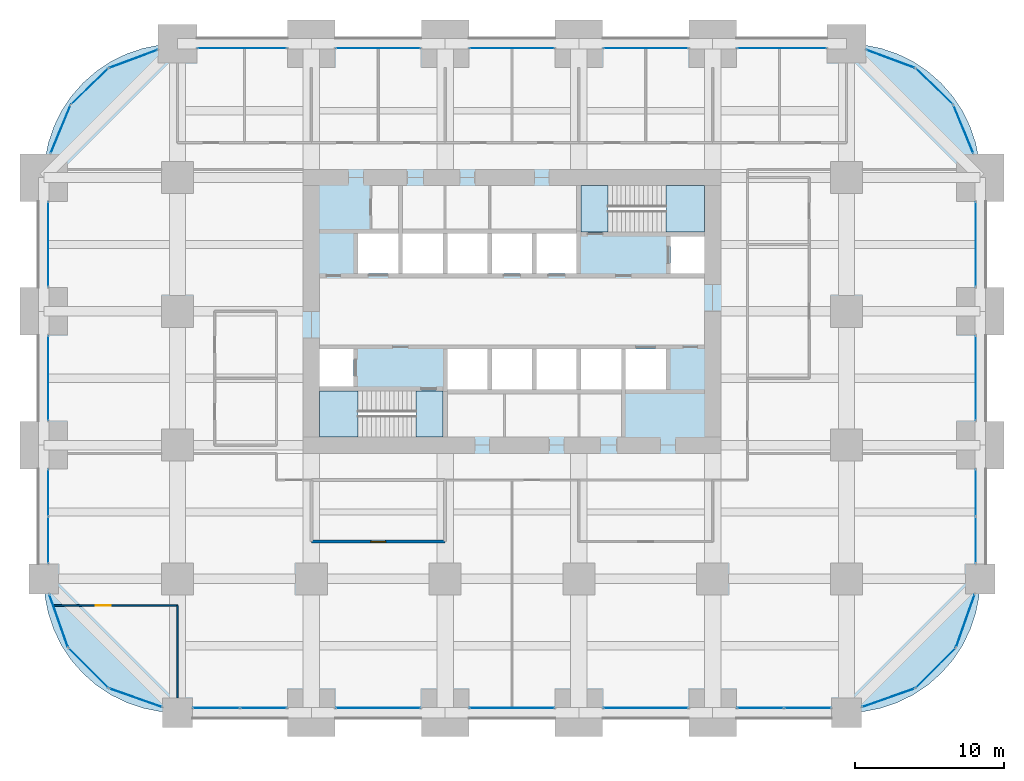
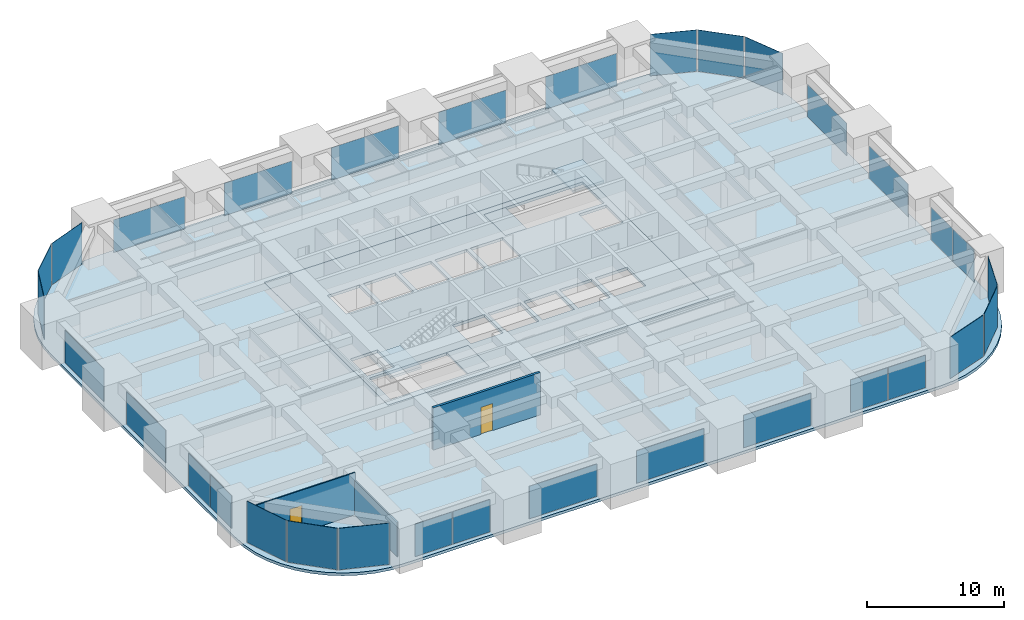
# One storey, part 36 of 41: 32 plates, 6 slabs, 3 walls, 2 doors, 2 openings, 30 elements without a shape of their own.
"""IFC4 building model written with IfcOpenShell, lengths in metres."""

from ifc_helpers import new_model, si_unit, direction, frame, frame_2d, origin, origin_2d, place, context, subcontext, project, spatial, polyline, rectangle, outline, extrude, material, layer, layer_set, type_object, element, fill, aggregate, save


model = new_model("IFC4")

# Units and contexts
model_context = context("Model", 3, precision=1e-05, world=origin(), true_north=direction((0.0, 1.0)))
body_context = subcontext(model_context, "Body", "Model", "MODEL_VIEW")
ifc_project = project(units=[si_unit("LENGTHUNIT", "METRE"), si_unit("AREAUNIT", "SQUARE_METRE"), si_unit("VOLUMEUNIT", "CUBIC_METRE"), si_unit("PLANEANGLEUNIT", "RADIAN"), si_unit("MASSUNIT", "GRAM", prefix="KILO")], contexts=[model_context])

# Site, building, storey
site_placement = place(None, origin())
site = spatial("IfcSite", under=ifc_project, at=site_placement, CompositionType="ELEMENT")
building_placement = place(site_placement, origin())
building = spatial("IfcBuilding", under=site, at=building_placement, Name="Zorevar Civic Tower", CompositionType="ELEMENT")
storey_placement = place(building_placement, frame((0.0, 0.0, 89.0)))
storey = spatial("IfcBuildingStorey", under=building, at=storey_placement, Name="L21", CompositionType="ELEMENT", Elevation=89.0)

# Curtain wall, plates
ifc_material_1 = material(Name="Dark grey solar-control glass in black aluminium frame", Category="aluminium")
curtain_wall_type = type_object("IfcCurtainWallType", Name="Curtain wall CW3 mid zone", PredefinedType="NOTDEFINED", material=ifc_material_1)
curtain_wall_1_placement = place(storey_placement, origin())
curtain_wall_1 = element("IfcCurtainWall", 1, at=curtain_wall_1_placement, inside=storey, type_object=curtain_wall_type, Name="CW3 L21", PredefinedType="NOTDEFINED")
ifc_material_2 = material(Name="Dark grey solar-control glass", Category="glass")
ifc_layer_1 = layer(ifc_material_2, 0.030029296875)
ifc_layer_set_1 = layer_set([ifc_layer_1], Name="CW3 panel 30")
plate_type = type_object("IfcPlateType", Name="CW3 panel 30", PredefinedType="CURTAIN_PANEL", material=ifc_layer_set_1)
plate_1_placement = place(storey_placement, frame((11.614990234375, 0.300048828125, 0.06005859375), z_axis=(0.0, 0.0, 1.0), x_axis=(1.0, 0.0, 0.0)))
plate_1 = element("IfcPlate", 2, at=plate_1_placement, type_object=plate_type, Name="CW3 panel 1.1", PredefinedType="CURTAIN_PANEL", context=body_context, shape_type="SweptSolid", body=[
    extrude(rectangle(XDim=3.110107421875, YDim=0.030029296875, at=origin_2d()), origin(), (0.0, 0.0, 1.0), 2.889892578125),
])
plate_2_placement = place(storey_placement, frame((14.784912109375, 0.300048828125, 0.06005859375), z_axis=(0.0, 0.0, 1.0), x_axis=(1.0, 0.0, 0.0)))
plate_2 = element("IfcPlate", 3, at=plate_2_placement, type_object=plate_type, Name="CW3 panel 2.1", PredefinedType="CURTAIN_PANEL", context=body_context, shape_type="SweptSolid", body=[
    extrude(rectangle(XDim=3.110107421875, YDim=0.030029296875, at=origin_2d()), origin(), (0.0, 0.0, 1.0), 2.889892578125),
])
aggregate(curtain_wall_1, [plate_1, plate_2])

# Curtain wall, plate
curtain_wall_2_placement = place(storey_placement, origin())
curtain_wall_2 = element("IfcCurtainWall", 4, at=curtain_wall_2_placement, inside=storey, type_object=curtain_wall_type, Name="CW3 L21", PredefinedType="NOTDEFINED")
plate_3_placement = place(storey_placement, frame((13.35009765625, 44.699951171875, 0.06005859375), z_axis=(0.0, 0.0, 1.0), x_axis=(1.0, 0.0, 0.0)))
plate_3 = element("IfcPlate", 5, at=plate_3_placement, type_object=plate_type, Name="CW3 panel 1.1", PredefinedType="CURTAIN_PANEL", context=body_context, shape_type="SweptSolid", body=[
    extrude(rectangle(XDim=5.97998046875, YDim=0.030029296875, at=origin_2d()), origin(), (0.0, 0.0, 1.0), 2.889892578125),
])
aggregate(curtain_wall_2, [plate_3])

curtain_wall_3_placement = place(storey_placement, origin())
curtain_wall_3 = element("IfcCurtainWall", 6, at=curtain_wall_3_placement, inside=storey, type_object=curtain_wall_type, Name="CW3 L21", PredefinedType="NOTDEFINED")
plate_4_placement = place(storey_placement, frame((22.5, 0.300048828125, 0.06005859375), z_axis=(0.0, 0.0, 1.0), x_axis=(1.0, 0.0, 0.0)))
plate_4 = element("IfcPlate", 7, at=plate_4_placement, type_object=plate_type, Name="CW3 panel 1.1", PredefinedType="CURTAIN_PANEL", context=body_context, shape_type="SweptSolid", body=[
    extrude(rectangle(XDim=5.679931640625, YDim=0.030029296875, at=origin_2d()), origin(), (0.0, 0.0, 1.0), 2.889892578125),
])
aggregate(curtain_wall_3, [plate_4])

curtain_wall_4_placement = place(storey_placement, origin())
curtain_wall_4 = element("IfcCurtainWall", 8, at=curtain_wall_4_placement, inside=storey, type_object=curtain_wall_type, Name="CW3 L21", PredefinedType="NOTDEFINED")
plate_5_placement = place(storey_placement, frame((22.5, 44.699951171875, 0.06005859375), z_axis=(0.0, 0.0, 1.0), x_axis=(1.0, 0.0, 0.0)))
plate_5 = element("IfcPlate", 9, at=plate_5_placement, type_object=plate_type, Name="CW3 panel 1.1", PredefinedType="CURTAIN_PANEL", context=body_context, shape_type="SweptSolid", body=[
    extrude(rectangle(XDim=5.679931640625, YDim=0.030029296875, at=origin_2d()), origin(), (0.0, 0.0, 1.0), 2.889892578125),
])
aggregate(curtain_wall_4, [plate_5])

curtain_wall_5_placement = place(storey_placement, origin())
curtain_wall_5 = element("IfcCurtainWall", 10, at=curtain_wall_5_placement, inside=storey, type_object=curtain_wall_type, Name="CW3 L21", PredefinedType="NOTDEFINED")
plate_6_placement = place(storey_placement, frame((31.5, 0.300048828125, 0.06005859375), z_axis=(0.0, 0.0, 1.0), x_axis=(1.0, 0.0, 0.0)))
plate_6 = element("IfcPlate", 11, at=plate_6_placement, type_object=plate_type, Name="CW3 panel 1.1", PredefinedType="CURTAIN_PANEL", context=body_context, shape_type="SweptSolid", body=[
    extrude(rectangle(XDim=5.679931640625, YDim=0.030029296875, at=origin_2d()), origin(), (0.0, 0.0, 1.0), 2.889892578125),
])
aggregate(curtain_wall_5, [plate_6])

curtain_wall_6_placement = place(storey_placement, origin())
curtain_wall_6 = element("IfcCurtainWall", 12, at=curtain_wall_6_placement, inside=storey, type_object=curtain_wall_type, Name="CW3 L21", PredefinedType="NOTDEFINED")
plate_7_placement = place(storey_placement, frame((31.5, 44.699951171875, 0.06005859375), z_axis=(0.0, 0.0, 1.0), x_axis=(1.0, 0.0, 0.0)))
plate_7 = element("IfcPlate", 13, at=plate_7_placement, type_object=plate_type, Name="CW3 panel 1.1", PredefinedType="CURTAIN_PANEL", context=body_context, shape_type="SweptSolid", body=[
    extrude(rectangle(XDim=5.679931640625, YDim=0.030029296875, at=origin_2d()), origin(), (0.0, 0.0, 1.0), 2.889892578125),
])
aggregate(curtain_wall_6, [plate_7])

curtain_wall_7_placement = place(storey_placement, origin())
curtain_wall_7 = element("IfcCurtainWall", 14, at=curtain_wall_7_placement, inside=storey, type_object=curtain_wall_type, Name="CW3 L21", PredefinedType="NOTDEFINED")
plate_8_placement = place(storey_placement, frame((40.5, 0.300048828125, 0.06005859375), z_axis=(0.0, 0.0, 1.0), x_axis=(1.0, 0.0, 0.0)))
plate_8 = element("IfcPlate", 15, at=plate_8_placement, type_object=plate_type, Name="CW3 panel 1.1", PredefinedType="CURTAIN_PANEL", context=body_context, shape_type="SweptSolid", body=[
    extrude(rectangle(XDim=5.679931640625, YDim=0.030029296875, at=origin_2d()), origin(), (0.0, 0.0, 1.0), 2.889892578125),
])
aggregate(curtain_wall_7, [plate_8])

curtain_wall_8_placement = place(storey_placement, origin())
curtain_wall_8 = element("IfcCurtainWall", 16, at=curtain_wall_8_placement, inside=storey, type_object=curtain_wall_type, Name="CW3 L21", PredefinedType="NOTDEFINED")
plate_9_placement = place(storey_placement, frame((40.5, 44.699951171875, 0.06005859375), z_axis=(0.0, 0.0, 1.0), x_axis=(1.0, 0.0, 0.0)))
plate_9 = element("IfcPlate", 17, at=plate_9_placement, type_object=plate_type, Name="CW3 panel 1.1", PredefinedType="CURTAIN_PANEL", context=body_context, shape_type="SweptSolid", body=[
    extrude(rectangle(XDim=5.679931640625, YDim=0.030029296875, at=origin_2d()), origin(), (0.0, 0.0, 1.0), 2.889892578125),
])
aggregate(curtain_wall_8, [plate_9])

# Curtain wall, plates
curtain_wall_9_placement = place(storey_placement, origin())
curtain_wall_9 = element("IfcCurtainWall", 18, at=curtain_wall_9_placement, inside=storey, type_object=curtain_wall_type, Name="CW3 L21", PredefinedType="NOTDEFINED")
plate_10_placement = place(storey_placement, frame((48.215087890625, 0.300048828125, 0.06005859375), z_axis=(0.0, 0.0, 1.0), x_axis=(1.0, 0.0, 0.0)))
plate_10 = element("IfcPlate", 19, at=plate_10_placement, type_object=plate_type, Name="CW3 panel 1.1", PredefinedType="CURTAIN_PANEL", context=body_context, shape_type="SweptSolid", body=[
    extrude(rectangle(XDim=3.110107421875, YDim=0.030029296875, at=origin_2d()), origin(), (0.0, 0.0, 1.0), 2.889892578125),
])
plate_11_placement = place(storey_placement, frame((51.385009765625, 0.300048828125, 0.06005859375), z_axis=(0.0, 0.0, 1.0), x_axis=(1.0, 0.0, 0.0)))
plate_11 = element("IfcPlate", 20, at=plate_11_placement, type_object=plate_type, Name="CW3 panel 2.1", PredefinedType="CURTAIN_PANEL", context=body_context, shape_type="SweptSolid", body=[
    extrude(rectangle(XDim=3.110107421875, YDim=0.030029296875, at=origin_2d()), origin(), (0.0, 0.0, 1.0), 2.889892578125),
])
aggregate(curtain_wall_9, [plate_10, plate_11])

# Curtain wall, plate
curtain_wall_10_placement = place(storey_placement, origin())
curtain_wall_10 = element("IfcCurtainWall", 21, at=curtain_wall_10_placement, inside=storey, type_object=curtain_wall_type, Name="CW3 L21", PredefinedType="NOTDEFINED")
plate_12_placement = place(storey_placement, frame((49.64990234375, 44.699951171875, 0.06005859375), z_axis=(0.0, 0.0, 1.0), x_axis=(1.0, 0.0, 0.0)))
plate_12 = element("IfcPlate", 22, at=plate_12_placement, type_object=plate_type, Name="CW3 panel 1.1", PredefinedType="CURTAIN_PANEL", context=body_context, shape_type="SweptSolid", body=[
    extrude(rectangle(XDim=5.97998046875, YDim=0.030029296875, at=origin_2d()), origin(), (0.0, 0.0, 1.0), 2.889892578125),
])
aggregate(curtain_wall_10, [plate_12])

# Curtain wall, plates
curtain_wall_11_placement = place(storey_placement, origin())
curtain_wall_11 = element("IfcCurtainWall", 23, at=curtain_wall_11_placement, inside=storey, type_object=curtain_wall_type, Name="CW3 L21", PredefinedType="NOTDEFINED")
plate_13_placement = place(storey_placement, frame((0.300048828125, 11.614990234375, 0.06005859375), z_axis=(0.0, 0.0, 1.0), x_axis=(0.0, 1.0, 0.0)))
plate_13 = element("IfcPlate", 24, at=plate_13_placement, type_object=plate_type, Name="CW3 panel 1.1", PredefinedType="CURTAIN_PANEL", context=body_context, shape_type="SweptSolid", body=[
    extrude(rectangle(XDim=3.110107421875, YDim=0.030029296875, at=origin_2d()), origin(), (0.0, 0.0, 1.0), 2.889892578125),
])
plate_14_placement = place(storey_placement, frame((0.300048828125, 14.784912109375, 0.06005859375), z_axis=(0.0, 0.0, 1.0), x_axis=(0.0, 1.0, 0.0)))
plate_14 = element("IfcPlate", 25, at=plate_14_placement, type_object=plate_type, Name="CW3 panel 2.1", PredefinedType="CURTAIN_PANEL", context=body_context, shape_type="SweptSolid", body=[
    extrude(rectangle(XDim=3.110107421875, YDim=0.030029296875, at=origin_2d()), origin(), (0.0, 0.0, 1.0), 2.889892578125),
])
aggregate(curtain_wall_11, [plate_13, plate_14])

curtain_wall_12_placement = place(storey_placement, origin())
curtain_wall_12 = element("IfcCurtainWall", 26, at=curtain_wall_12_placement, inside=storey, type_object=curtain_wall_type, Name="CW3 L21", PredefinedType="NOTDEFINED")
plate_15_placement = place(storey_placement, frame((62.699951171875, 11.614990234375, 0.06005859375), z_axis=(0.0, 0.0, 1.0), x_axis=(0.0, 1.0, 0.0)))
plate_15 = element("IfcPlate", 27, at=plate_15_placement, type_object=plate_type, Name="CW3 panel 1.1", PredefinedType="CURTAIN_PANEL", context=body_context, shape_type="SweptSolid", body=[
    extrude(rectangle(XDim=3.110107421875, YDim=0.030029296875, at=origin_2d()), origin(), (0.0, 0.0, 1.0), 2.889892578125),
])
plate_16_placement = place(storey_placement, frame((62.699951171875, 14.784912109375, 0.06005859375), z_axis=(0.0, 0.0, 1.0), x_axis=(0.0, 1.0, 0.0)))
plate_16 = element("IfcPlate", 28, at=plate_16_placement, type_object=plate_type, Name="CW3 panel 2.1", PredefinedType="CURTAIN_PANEL", context=body_context, shape_type="SweptSolid", body=[
    extrude(rectangle(XDim=3.110107421875, YDim=0.030029296875, at=origin_2d()), origin(), (0.0, 0.0, 1.0), 2.889892578125),
])
aggregate(curtain_wall_12, [plate_15, plate_16])

# Curtain wall, plate
curtain_wall_13_placement = place(storey_placement, origin())
curtain_wall_13 = element("IfcCurtainWall", 29, at=curtain_wall_13_placement, inside=storey, type_object=curtain_wall_type, Name="CW3 L21", PredefinedType="NOTDEFINED")
plate_17_placement = place(storey_placement, frame((0.300048828125, 22.5, 0.06005859375), z_axis=(0.0, 0.0, 1.0), x_axis=(0.0, 1.0, 0.0)))
plate_17 = element("IfcPlate", 30, at=plate_17_placement, type_object=plate_type, Name="CW3 panel 1.1", PredefinedType="CURTAIN_PANEL", context=body_context, shape_type="SweptSolid", body=[
    extrude(rectangle(XDim=5.679931640625, YDim=0.030029296875, at=origin_2d()), origin(), (0.0, 0.0, 1.0), 2.889892578125),
])
aggregate(curtain_wall_13, [plate_17])

curtain_wall_14_placement = place(storey_placement, origin())
curtain_wall_14 = element("IfcCurtainWall", 31, at=curtain_wall_14_placement, inside=storey, type_object=curtain_wall_type, Name="CW3 L21", PredefinedType="NOTDEFINED")
plate_18_placement = place(storey_placement, frame((62.699951171875, 22.5, 0.06005859375), z_axis=(0.0, 0.0, 1.0), x_axis=(0.0, 1.0, 0.0)))
plate_18 = element("IfcPlate", 32, at=plate_18_placement, type_object=plate_type, Name="CW3 panel 1.1", PredefinedType="CURTAIN_PANEL", context=body_context, shape_type="SweptSolid", body=[
    extrude(rectangle(XDim=5.679931640625, YDim=0.030029296875, at=origin_2d()), origin(), (0.0, 0.0, 1.0), 2.889892578125),
])
aggregate(curtain_wall_14, [plate_18])

curtain_wall_15_placement = place(storey_placement, origin())
curtain_wall_15 = element("IfcCurtainWall", 33, at=curtain_wall_15_placement, inside=storey, type_object=curtain_wall_type, Name="CW3 L21", PredefinedType="NOTDEFINED")
plate_19_placement = place(storey_placement, frame((0.300048828125, 31.5, 0.06005859375), z_axis=(0.0, 0.0, 1.0), x_axis=(0.0, 1.0, 0.0)))
plate_19 = element("IfcPlate", 34, at=plate_19_placement, type_object=plate_type, Name="CW3 panel 1.1", PredefinedType="CURTAIN_PANEL", context=body_context, shape_type="SweptSolid", body=[
    extrude(rectangle(XDim=5.679931640625, YDim=0.030029296875, at=origin_2d()), origin(), (0.0, 0.0, 1.0), 2.889892578125),
])
aggregate(curtain_wall_15, [plate_19])

curtain_wall_16_placement = place(storey_placement, origin())
curtain_wall_16 = element("IfcCurtainWall", 35, at=curtain_wall_16_placement, inside=storey, type_object=curtain_wall_type, Name="CW3 L21", PredefinedType="NOTDEFINED")
plate_20_placement = place(storey_placement, frame((62.699951171875, 31.5, 0.06005859375), z_axis=(0.0, 0.0, 1.0), x_axis=(0.0, 1.0, 0.0)))
plate_20 = element("IfcPlate", 36, at=plate_20_placement, type_object=plate_type, Name="CW3 panel 1.1", PredefinedType="CURTAIN_PANEL", context=body_context, shape_type="SweptSolid", body=[
    extrude(rectangle(XDim=5.679931640625, YDim=0.030029296875, at=origin_2d()), origin(), (0.0, 0.0, 1.0), 2.889892578125),
])
aggregate(curtain_wall_16, [plate_20])

curtain_wall_17_placement = place(storey_placement, origin())
curtain_wall_17 = element("IfcCurtainWall", 37, at=curtain_wall_17_placement, inside=storey, type_object=curtain_wall_type, Name="CW3 L21", PredefinedType="NOTDEFINED")
plate_21_placement = place(storey_placement, frame((56.818115234375, 0.998046875, 0.06005859375), z_axis=(0.0, 0.0, 1.0), x_axis=(0.943219107653, 0.33217121332, 0.0)))
plate_21 = element("IfcPlate", 38, at=plate_21_placement, type_object=plate_type, Name="CW3 panel 1.1", PredefinedType="CURTAIN_PANEL", context=body_context, shape_type="SweptSolid", body=[
    extrude(rectangle(XDim=3.73486328125, YDim=0.030029296875, at=origin_2d()), origin(), (0.0, 0.0, 1.0), 3.68994140625),
])
aggregate(curtain_wall_17, [plate_21])

curtain_wall_18_placement = place(storey_placement, origin())
curtain_wall_18 = element("IfcCurtainWall", 39, at=curtain_wall_18_placement, inside=storey, type_object=curtain_wall_type, Name="CW3 L21", PredefinedType="NOTDEFINED")
plate_22_placement = place(storey_placement, frame((59.998779296875, 3.001220703125, 0.06005859375), z_axis=(0.0, 0.0, 1.0), x_axis=(0.707106781187, 0.707106781187, 0.0)))
plate_22 = element("IfcPlate", 40, at=plate_22_placement, type_object=plate_type, Name="CW3 panel 1.1", PredefinedType="CURTAIN_PANEL", context=body_context, shape_type="SweptSolid", body=[
    extrude(rectangle(XDim=3.73486328125, YDim=0.030029296875, at=origin_2d()), origin(), (0.0, 0.0, 1.0), 3.68994140625),
])
aggregate(curtain_wall_18, [plate_22])

curtain_wall_19_placement = place(storey_placement, origin())
curtain_wall_19 = element("IfcCurtainWall", 41, at=curtain_wall_19_placement, inside=storey, type_object=curtain_wall_type, Name="CW3 L21", PredefinedType="NOTDEFINED")
plate_23_placement = place(storey_placement, frame((62.001953125, 6.181884765625, 0.06005859375), z_axis=(0.0, 0.0, 1.0), x_axis=(0.33217121332, 0.943219107653, 0.0)))
plate_23 = element("IfcPlate", 42, at=plate_23_placement, type_object=plate_type, Name="CW3 panel 1.1", PredefinedType="CURTAIN_PANEL", context=body_context, shape_type="SweptSolid", body=[
    extrude(rectangle(XDim=3.73486328125, YDim=0.030029296875, at=origin_2d()), origin(), (0.0, 0.0, 1.0), 3.68994140625),
])
aggregate(curtain_wall_19, [plate_23])

curtain_wall_20_placement = place(storey_placement, origin())
curtain_wall_20 = element("IfcCurtainWall", 43, at=curtain_wall_20_placement, inside=storey, type_object=curtain_wall_type, Name="CW3 L21", PredefinedType="NOTDEFINED")
plate_24_placement = place(storey_placement, frame((61.87353515625, 39.2451171875, 0.06005859375), z_axis=(0.0, 0.0, 1.0), x_axis=(-0.381061284858, 0.924549780803, 0.0)))
plate_24 = element("IfcPlate", 44, at=plate_24_placement, type_object=plate_type, Name="CW3 panel 1.1", PredefinedType="CURTAIN_PANEL", context=body_context, shape_type="SweptSolid", body=[
    extrude(rectangle(XDim=3.438720703125, YDim=0.030029296875, at=origin_2d()), origin(), (0.0, 0.0, 1.0), 3.68994140625),
])
aggregate(curtain_wall_20, [plate_24])

curtain_wall_21_placement = place(storey_placement, origin())
curtain_wall_21 = element("IfcCurtainWall", 45, at=curtain_wall_21_placement, inside=storey, type_object=curtain_wall_type, Name="CW3 L21", PredefinedType="NOTDEFINED")
plate_25_placement = place(storey_placement, frame((59.91552734375, 42.126220703125, 0.06005859375), z_axis=(0.0, 0.0, 1.0), x_axis=(-0.719363106348, 0.69463423557, 0.0)))
plate_25 = element("IfcPlate", 46, at=plate_25_placement, type_object=plate_type, Name="CW3 panel 1.1", PredefinedType="CURTAIN_PANEL", context=body_context, shape_type="SweptSolid", body=[
    extrude(rectangle(XDim=3.438720703125, YDim=0.030029296875, at=origin_2d()), origin(), (0.0, 0.0, 1.0), 3.68994140625),
])
aggregate(curtain_wall_21, [plate_25])

curtain_wall_22_placement = place(storey_placement, origin())
curtain_wall_22 = element("IfcCurtainWall", 47, at=curtain_wall_22_placement, inside=storey, type_object=curtain_wall_type, Name="CW3 L21", PredefinedType="NOTDEFINED")
plate_26_placement = place(storey_placement, frame((56.9677734375, 43.982177734375, 0.06005859375), z_axis=(0.0, 0.0, 1.0), x_axis=(-0.937308892391, 0.348499699061, 0.0)))
plate_26 = element("IfcPlate", 48, at=plate_26_placement, type_object=plate_type, Name="CW3 panel 1.1", PredefinedType="CURTAIN_PANEL", context=body_context, shape_type="SweptSolid", body=[
    extrude(rectangle(XDim=3.438720703125, YDim=0.030029296875, at=origin_2d()), origin(), (0.0, 0.0, 1.0), 3.68994140625),
])
aggregate(curtain_wall_22, [plate_26])

curtain_wall_23_placement = place(storey_placement, origin())
curtain_wall_23 = element("IfcCurtainWall", 49, at=curtain_wall_23_placement, inside=storey, type_object=curtain_wall_type, Name="CW3 L21", PredefinedType="NOTDEFINED")
plate_27_placement = place(storey_placement, frame((6.0322265625, 43.982177734375, 0.06005859375), z_axis=(0.0, 0.0, 1.0), x_axis=(-0.937308892391, -0.348499699061, 0.0)))
plate_27 = element("IfcPlate", 50, at=plate_27_placement, type_object=plate_type, Name="CW3 panel 1.1", PredefinedType="CURTAIN_PANEL", context=body_context, shape_type="SweptSolid", body=[
    extrude(rectangle(XDim=3.438720703125, YDim=0.030029296875, at=origin_2d()), origin(), (0.0, 0.0, 1.0), 3.68994140625),
])
aggregate(curtain_wall_23, [plate_27])

curtain_wall_24_placement = place(storey_placement, origin())
curtain_wall_24 = element("IfcCurtainWall", 51, at=curtain_wall_24_placement, inside=storey, type_object=curtain_wall_type, Name="CW3 L21", PredefinedType="NOTDEFINED")
plate_28_placement = place(storey_placement, frame((3.08447265625, 42.126220703125, 0.06005859375), z_axis=(0.0, 0.0, 1.0), x_axis=(-0.719363106348, -0.69463423557, 0.0)))
plate_28 = element("IfcPlate", 52, at=plate_28_placement, type_object=plate_type, Name="CW3 panel 1.1", PredefinedType="CURTAIN_PANEL", context=body_context, shape_type="SweptSolid", body=[
    extrude(rectangle(XDim=3.438720703125, YDim=0.030029296875, at=origin_2d()), origin(), (0.0, 0.0, 1.0), 3.68994140625),
])
aggregate(curtain_wall_24, [plate_28])

curtain_wall_25_placement = place(storey_placement, origin())
curtain_wall_25 = element("IfcCurtainWall", 53, at=curtain_wall_25_placement, inside=storey, type_object=curtain_wall_type, Name="CW3 L21", PredefinedType="NOTDEFINED")
plate_29_placement = place(storey_placement, frame((1.12646484375, 39.2451171875, 0.06005859375), z_axis=(0.0, 0.0, 1.0), x_axis=(-0.381061284858, -0.924549780803, 0.0)))
plate_29 = element("IfcPlate", 54, at=plate_29_placement, type_object=plate_type, Name="CW3 panel 1.1", PredefinedType="CURTAIN_PANEL", context=body_context, shape_type="SweptSolid", body=[
    extrude(rectangle(XDim=3.438720703125, YDim=0.030029296875, at=origin_2d()), origin(), (0.0, 0.0, 1.0), 3.68994140625),
])
aggregate(curtain_wall_25, [plate_29])

curtain_wall_26_placement = place(storey_placement, origin())
curtain_wall_26 = element("IfcCurtainWall", 55, at=curtain_wall_26_placement, inside=storey, type_object=curtain_wall_type, Name="CW3 L21", PredefinedType="NOTDEFINED")
plate_30_placement = place(storey_placement, frame((0.998046875, 6.181884765625, 0.06005859375), z_axis=(0.0, 0.0, 1.0), x_axis=(0.33217121332, -0.943219107653, 0.0)))
plate_30 = element("IfcPlate", 56, at=plate_30_placement, type_object=plate_type, Name="CW3 panel 1.1", PredefinedType="CURTAIN_PANEL", context=body_context, shape_type="SweptSolid", body=[
    extrude(rectangle(XDim=3.73486328125, YDim=0.030029296875, at=origin_2d()), origin(), (0.0, 0.0, 1.0), 3.68994140625),
])
aggregate(curtain_wall_26, [plate_30])

curtain_wall_27_placement = place(storey_placement, origin())
curtain_wall_27 = element("IfcCurtainWall", 57, at=curtain_wall_27_placement, inside=storey, type_object=curtain_wall_type, Name="CW3 L21", PredefinedType="NOTDEFINED")
plate_31_placement = place(storey_placement, frame((3.001220703125, 3.001220703125, 0.06005859375), z_axis=(0.0, 0.0, 1.0), x_axis=(0.707106781187, -0.707106781187, 0.0)))
plate_31 = element("IfcPlate", 58, at=plate_31_placement, type_object=plate_type, Name="CW3 panel 1.1", PredefinedType="CURTAIN_PANEL", context=body_context, shape_type="SweptSolid", body=[
    extrude(rectangle(XDim=3.73486328125, YDim=0.030029296875, at=origin_2d()), origin(), (0.0, 0.0, 1.0), 3.68994140625),
])
aggregate(curtain_wall_27, [plate_31])

curtain_wall_28_placement = place(storey_placement, origin())
curtain_wall_28 = element("IfcCurtainWall", 59, at=curtain_wall_28_placement, inside=storey, type_object=curtain_wall_type, Name="CW3 L21", PredefinedType="NOTDEFINED")
plate_32_placement = place(storey_placement, frame((6.181884765625, 0.998046875, 0.06005859375), z_axis=(0.0, 0.0, 1.0), x_axis=(0.943219107653, -0.33217121332, 0.0)))
plate_32 = element("IfcPlate", 60, at=plate_32_placement, type_object=plate_type, Name="CW3 panel 1.1", PredefinedType="CURTAIN_PANEL", context=body_context, shape_type="SweptSolid", body=[
    extrude(rectangle(XDim=3.73486328125, YDim=0.030029296875, at=origin_2d()), origin(), (0.0, 0.0, 1.0), 3.68994140625),
])
aggregate(curtain_wall_28, [plate_32])

# Slabs
ifc_material_3 = material(Name="Concrete C40/50", Category="concrete")
ifc_layer_2 = layer(ifc_material_3, 0.25)
ifc_layer_set_2 = layer_set([ifc_layer_2], Name="Floor slab 250")
slab_type_1 = type_object("IfcSlabType", Name="Floor slab 250", PredefinedType="FLOOR", material=ifc_layer_set_2)
slab_1_placement = place(storey_placement, frame((0.0, 0.0, -0.25)))
element("IfcSlab", 61, at=slab_1_placement, inside=storey, type_object=slab_type_1, Name="Floor slab L21", PredefinedType="FLOOR", context=body_context, shape_type="SweptSolid", body=[
    extrude(outline(polyline([(54.0, 0.0), (55.1748046875, 0.076904296875), (56.329345703125, 0.306640625), (57.444091796875, 0.68505859375), (58.5, 1.205810546875), (59.478759765625, 1.85986328125), (60.364013671875, 2.635986328125), (61.14013671875, 3.521240234375), (61.794189453125, 4.5), (62.31494140625, 5.555908203125), (62.693359375, 6.670654296875), (62.923095703125, 7.8251953125), (63.0, 9.0), (63.0, 36.0), (62.923095703125, 37.1748046875), (62.693359375, 38.329345703125), (62.31494140625, 39.444091796875), (61.794189453125, 40.5), (61.14013671875, 41.478759765625), (60.364013671875, 42.364013671875), (59.478759765625, 43.14013671875), (58.5, 43.794189453125), (57.444091796875, 44.31494140625), (56.329345703125, 44.693359375), (55.1748046875, 44.923095703125), (54.0, 45.0), (9.0, 45.0), (7.8251953125, 44.923095703125), (6.670654296875, 44.693359375), (5.555908203125, 44.31494140625), (4.5, 43.794189453125), (3.521240234375, 43.14013671875), (2.635986328125, 42.364013671875), (1.85986328125, 41.478759765625), (1.205810546875, 40.5), (0.68505859375, 39.444091796875), (0.306640625, 38.329345703125), (0.076904296875, 37.1748046875), (0.0, 36.0), (0.0, 9.0), (0.076904296875, 7.8251953125), (0.306640625, 6.670654296875), (0.68505859375, 5.555908203125), (1.205810546875, 4.5), (1.85986328125, 3.521240234375), (2.635986328125, 2.635986328125), (3.521240234375, 1.85986328125), (4.5, 1.205810546875), (5.555908203125, 0.68505859375), (6.670654296875, 0.306640625), (7.8251953125, 0.076904296875), (9.0, 0.0), (54.0, 0.0)]), holes=[polyline([(18.0, 18.0), (45.0, 18.0), (45.0, 36.0), (18.0, 36.0), (18.0, 18.0)])]), origin(), (0.0, 0.0, 1.0), 0.25),
])
slab_2_placement = place(storey_placement, frame((0.0, 0.0, -0.25)))
element("IfcSlab", 62, at=slab_2_placement, inside=storey, type_object=slab_type_1, Name="Core floor L21", PredefinedType="FLOOR", context=body_context, shape_type="SweptSolid", body=[
    extrude(outline(polyline([(18.0, 18.0), (45.0, 18.0), (45.0, 36.0), (18.0, 36.0), (18.0, 18.0)]), holes=[polyline([(18.550048828125, 18.550048828125), (26.85009765625, 18.550048828125), (26.85009765625, 21.64990234375), (18.550048828125, 21.64990234375), (18.550048828125, 18.550048828125)]), polyline([(36.14990234375, 32.35009765625), (44.449951171875, 32.35009765625), (44.449951171875, 35.449951171875), (36.14990234375, 35.449951171875), (36.14990234375, 32.35009765625)]), polyline([(18.550048828125, 21.949951171875), (20.85009765625, 21.949951171875), (20.85009765625, 24.449951171875), (18.550048828125, 24.449951171875), (18.550048828125, 21.949951171875)]), polyline([(42.14990234375, 29.550048828125), (44.449951171875, 29.550048828125), (44.449951171875, 32.050048828125), (42.14990234375, 32.050048828125), (42.14990234375, 29.550048828125)]), polyline([(27.14990234375, 21.75), (29.85009765625, 21.75), (29.85009765625, 24.449951171875), (27.14990234375, 24.449951171875), (27.14990234375, 21.75)]), polyline([(33.14990234375, 29.550048828125), (35.85009765625, 29.550048828125), (35.85009765625, 32.25), (33.14990234375, 32.25), (33.14990234375, 29.550048828125)]), polyline([(30.14990234375, 21.75), (32.85009765625, 21.75), (32.85009765625, 24.449951171875), (30.14990234375, 24.449951171875), (30.14990234375, 21.75)]), polyline([(30.14990234375, 29.550048828125), (32.85009765625, 29.550048828125), (32.85009765625, 32.25), (30.14990234375, 32.25), (30.14990234375, 29.550048828125)]), polyline([(33.14990234375, 21.75), (35.85009765625, 21.75), (35.85009765625, 24.449951171875), (33.14990234375, 24.449951171875), (33.14990234375, 21.75)]), polyline([(27.14990234375, 29.550048828125), (29.85009765625, 29.550048828125), (29.85009765625, 32.25), (27.14990234375, 32.25), (27.14990234375, 29.550048828125)]), polyline([(36.14990234375, 21.75), (38.85009765625, 21.75), (38.85009765625, 24.449951171875), (36.14990234375, 24.449951171875), (36.14990234375, 21.75)]), polyline([(24.14990234375, 29.550048828125), (26.85009765625, 29.550048828125), (26.85009765625, 32.25), (24.14990234375, 32.25), (24.14990234375, 29.550048828125)]), polyline([(39.14990234375, 21.75), (41.85009765625, 21.75), (41.85009765625, 24.449951171875), (39.14990234375, 24.449951171875), (39.14990234375, 21.75)]), polyline([(21.14990234375, 29.550048828125), (23.85009765625, 29.550048828125), (23.85009765625, 32.25), (21.14990234375, 32.25), (21.14990234375, 29.550048828125)])]), origin(), (0.0, 0.0, 1.0), 0.25),
])

# Stair, slabs
ifc_material_4 = material(Name="Precast concrete C40/50", Category="concrete")
stair_type = type_object("IfcStairType", Name="Stair ST 28R", PredefinedType="HALF_TURN_STAIR", material=ifc_material_4)
stair_1_placement = place(storey_placement, origin())
stair_1 = element("IfcStair", 63, at=stair_1_placement, inside=storey, type_object=stair_type, Name="Stair ST1 L21", PredefinedType="HALF_TURN_STAIR")
ifc_material_5 = material(Name="Concrete C40/50", Category="concrete")
ifc_layer_3 = layer(ifc_material_5, 0.199951171875)
ifc_layer_set_3 = layer_set([ifc_layer_3], Name="Stair landing 200")
slab_type_2 = type_object("IfcSlabType", Name="Stair landing 200", PredefinedType="LANDING", material=ifc_layer_set_3)
slab_3_placement = place(storey_placement, frame((0.0, 0.0, -0.199951171875)))
slab_3 = element("IfcSlab", 64, at=slab_3_placement, type_object=slab_type_2, Name="ST1 landing 1", PredefinedType="LANDING", context=body_context, shape_type="SweptSolid", body=[
    extrude(outline(polyline([(25.050048828125, 18.550048828125), (26.85009765625, 18.550048828125), (26.85009765625, 21.64990234375), (25.050048828125, 21.64990234375), (25.050048828125, 18.550048828125)])), origin(), (0.0, 0.0, 1.0), 0.199951171875),
])
slab_4_placement = place(storey_placement, frame((0.0, 0.0, 1.800048828125)))
slab_4 = element("IfcSlab", 65, at=slab_4_placement, type_object=slab_type_2, Name="ST1 landing 2", PredefinedType="LANDING", context=body_context, shape_type="SweptSolid", body=[
    extrude(outline(polyline([(18.550048828125, 18.550048828125), (21.14990234375, 18.550048828125), (21.14990234375, 21.64990234375), (18.550048828125, 21.64990234375), (18.550048828125, 18.550048828125)])), origin(), (0.0, 0.0, 1.0), 0.199951171875),
])
aggregate(stair_1, [slab_3, slab_4])

stair_2_placement = place(storey_placement, origin())
stair_2 = element("IfcStair", 66, at=stair_2_placement, inside=storey, type_object=stair_type, Name="Stair ST2 L21", PredefinedType="HALF_TURN_STAIR")
slab_5_placement = place(storey_placement, frame((0.0, 0.0, -0.199951171875)))
slab_5 = element("IfcSlab", 67, at=slab_5_placement, type_object=slab_type_2, Name="ST2 landing 1", PredefinedType="LANDING", context=body_context, shape_type="SweptSolid", body=[
    extrude(outline(polyline([(37.949951171875, 32.35009765625), (36.14990234375, 32.35009765625), (36.14990234375, 35.449951171875), (37.949951171875, 35.449951171875), (37.949951171875, 32.35009765625)])), origin(), (0.0, 0.0, 1.0), 0.199951171875),
])
slab_6_placement = place(storey_placement, frame((0.0, 0.0, 1.800048828125)))
slab_6 = element("IfcSlab", 68, at=slab_6_placement, type_object=slab_type_2, Name="ST2 landing 2", PredefinedType="LANDING", context=body_context, shape_type="SweptSolid", body=[
    extrude(outline(polyline([(44.449951171875, 32.35009765625), (41.85009765625, 32.35009765625), (41.85009765625, 35.449951171875), (44.449951171875, 35.449951171875), (44.449951171875, 32.35009765625)])), origin(), (0.0, 0.0, 1.0), 0.199951171875),
])
aggregate(stair_2, [slab_5, slab_6])

# Wall, opening, door
ifc_material_6 = material(Name="Concrete blockwork", Category="masonry")
ifc_layer_4 = layer(ifc_material_6, 0.199951171875)
ifc_layer_set_4 = layer_set([ifc_layer_4], Name="Blockwork wall 200")
wall_type_1 = type_object("IfcWallType", Name="Blockwork wall 200", PredefinedType="SOLIDWALL", material=ifc_layer_set_4)
wall_1_placement = place(storey_placement, frame((18.0, 11.5, 0.0), z_axis=(0.0, 0.0, 1.0), x_axis=(1.0, 0.0, 0.0)))
wall_1 = element("IfcWall", 69, at=wall_1_placement, inside=storey, type_object=wall_type_1, Name="Blockwork wall 200 L21", PredefinedType="SOLIDWALL", context=body_context, shape_type="SweptSolid", body=[
    extrude(rectangle(XDim=9.0, YDim=0.199951171875, at=frame_2d((4.5, 0.0))), origin(), (0.0, 0.0, 1.0), 3.75),
])
opening_1_placement = place(wall_1_placement, frame((4.0, 0.0, 0.0)))
opening_1 = element("IfcOpeningElement", 70, at=opening_1_placement, cuts=wall_1, Name="Opening L21.18", PredefinedType="OPENING", context=body_context, shape_type="SweptSolid", body=[
    extrude(rectangle(XDim=1.0, YDim=2.39990234375, at=frame_2d((0.5, 1.199951171875))), frame((0.0, 0.10986328125, 0.0), z_axis=(0.0, -1.0, 0.0), x_axis=(1.0, 0.0, 0.0)), (0.0, 0.0, 1.0), 0.219970703125),
])
ifc_material_7 = material(Name="Steel door set", Category="steel")
door_type_1 = type_object("IfcDoorType", Name="Security door SD1 1000x2400", OperationType="SINGLE_SWING_LEFT", PredefinedType="DOOR", material=ifc_material_7)
door_1_placement = place(opening_1_placement, origin())
door_1 = element("IfcDoor", 71, at=door_1_placement, inside=storey, type_object=door_type_1, Name="Door L21 D1", OperationType="SINGLE_SWING_RIGHT", OverallHeight=2.39990234375, OverallWidth=1.0, PredefinedType="DOOR", context=body_context, shape_type="SweptSolid", body=[
    extrude(rectangle(XDim=1.0, YDim=2.39990234375, at=frame_2d((0.5, 1.199951171875))), frame((0.0, 0.03515625, 0.0), z_axis=(0.0, -1.0, 0.0), x_axis=(1.0, 0.0, 0.0)), (0.0, 0.0, 1.0), 0.070068359375),
])
fill(opening_1, door_1)

ifc_material_8 = material(Name="Laminated glass in black aluminium frame", Category="aluminium")
ifc_layer_5 = layer(ifc_material_8, 0.10009765625)
ifc_layer_set_5 = layer_set([ifc_layer_5], Name="Glazed partition 100")
wall_type_2 = type_object("IfcWallType", Name="Glazed partition 100", PredefinedType="PARTITIONING", material=ifc_layer_set_5)
wall_2_placement = place(storey_placement, frame((0.674072265625, 7.199951171875, 0.0), z_axis=(0.0, 0.0, 1.0), x_axis=(1.0, 0.0, 0.0)))
wall_2 = element("IfcWall", 72, at=wall_2_placement, inside=storey, type_object=wall_type_2, Name="Glazed partition 100 L21", PredefinedType="PARTITIONING", context=body_context, shape_type="SweptSolid", body=[
    extrude(rectangle(XDim=8.325927734375, YDim=0.10009765625, at=frame_2d((4.1630859375, 0.0))), origin(), (0.0, 0.0, 1.0), 3.75),
])
opening_2_placement = place(wall_2_placement, frame((2.825927734375, 0.0, 0.0)))
opening_2 = element("IfcOpeningElement", 73, at=opening_2_placement, cuts=wall_2, Name="Opening L21.17", PredefinedType="OPENING", context=body_context, shape_type="SweptSolid", body=[
    extrude(rectangle(XDim=1.0, YDim=2.39990234375, at=frame_2d((0.5, 1.199951171875))), frame((0.0, 0.06005859375, 0.0), z_axis=(0.0, -1.0, 0.0), x_axis=(1.0, 0.0, 0.0)), (0.0, 0.0, 1.0), 0.1201171875),
])
ifc_material_9 = material(Name="Timber door set", Category="wood")
door_type_2 = type_object("IfcDoorType", Name="Glazed door GD1 1000x2400", OperationType="SINGLE_SWING_LEFT", PredefinedType="DOOR", material=ifc_material_9)
door_2_placement = place(opening_2_placement, origin())
door_2 = element("IfcDoor", 74, at=door_2_placement, inside=storey, type_object=door_type_2, Name="Door L21 D1", OperationType="SINGLE_SWING_RIGHT", OverallHeight=2.39990234375, OverallWidth=1.0, PredefinedType="DOOR", context=body_context, shape_type="SweptSolid", body=[
    extrude(rectangle(XDim=1.0, YDim=2.39990234375, at=frame_2d((0.5, 1.199951171875))), frame((0.0, 0.02001953125, 0.0), z_axis=(0.0, -1.0, 0.0), x_axis=(1.0, 0.0, 0.0)), (0.0, 0.0, 1.0), 0.0400390625),
])
fill(opening_2, door_2)

# Wall
wall_3_placement = place(storey_placement, frame((9.0, 1.0, 0.0), z_axis=(0.0, 0.0, 1.0), x_axis=(0.0, 1.0, 0.0)))
element("IfcWall", 75, at=wall_3_placement, inside=storey, type_object=wall_type_2, Name="Glazed partition 100 L21", PredefinedType="PARTITIONING", context=body_context, shape_type="SweptSolid", body=[
    extrude(rectangle(XDim=6.199951171875, YDim=0.10009765625, at=frame_2d((3.10009765625, 0.0))), origin(), (0.0, 0.0, 1.0), 3.050048828125),
])

save(model, "model.ifc")
